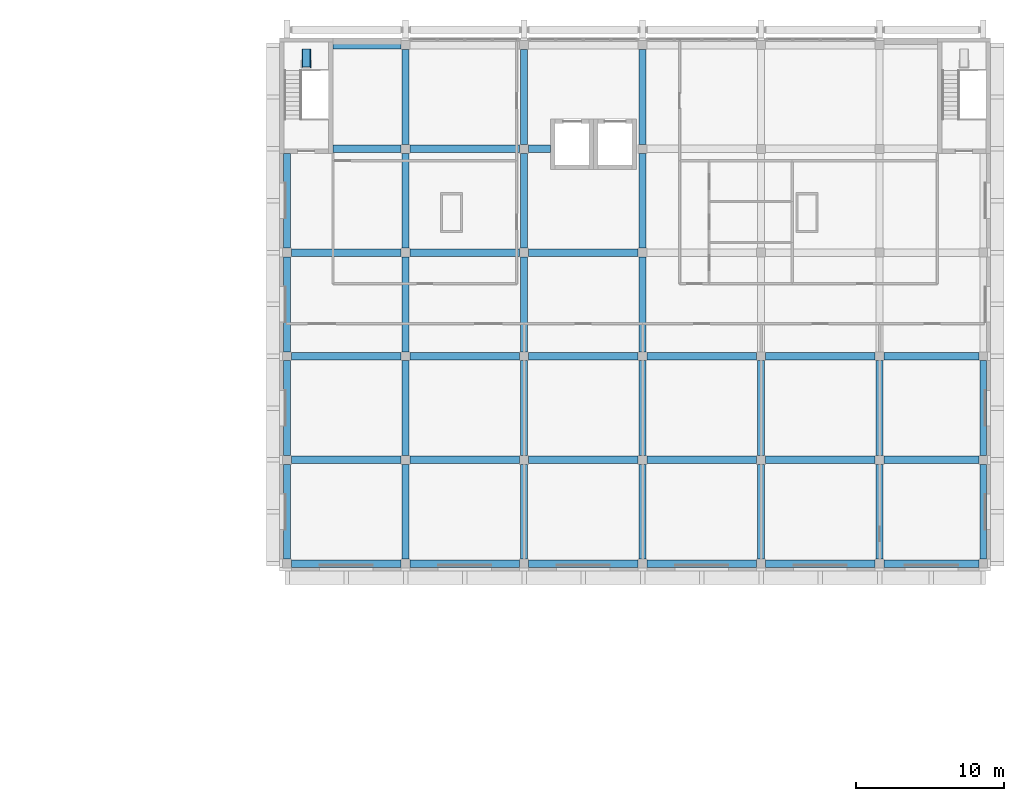
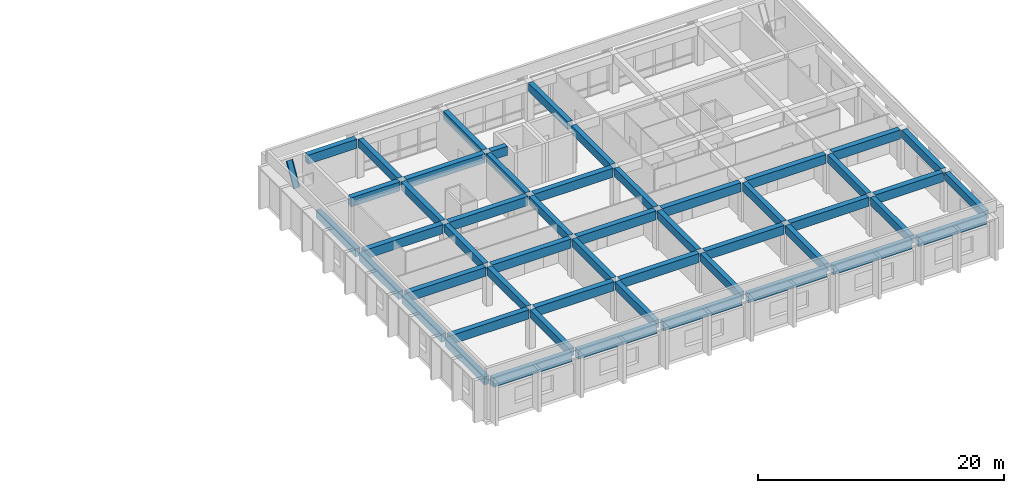
# One storey, part 8 of 21: 50 beams, 1 member.
"""IFC4 building model written with IfcOpenShell, lengths in metres."""

from ifc_helpers import new_model, si_unit, direction, frame, origin, origin_2d, place, context, subcontext, project, spatial, polyline, rectangle, outline, extrude, material, material_profile, profile_set, type_object, element, save


model = new_model("IFC4")

# Units and contexts
model_context = context("Model", 3, precision=1e-05, world=origin(), true_north=direction((0.0, 1.0)))
body_context = subcontext(model_context, "Body", "Model", "MODEL_VIEW")
ifc_project = project(units=[si_unit("LENGTHUNIT", "METRE"), si_unit("AREAUNIT", "SQUARE_METRE"), si_unit("VOLUMEUNIT", "CUBIC_METRE"), si_unit("PLANEANGLEUNIT", "RADIAN"), si_unit("MASSUNIT", "GRAM", prefix="KILO")], contexts=[model_context])

# Site, building, storey
site_placement = place(None, origin())
site = spatial("IfcSite", under=ifc_project, at=site_placement, CompositionType="ELEMENT")
building_placement = place(site_placement, origin())
building = spatial("IfcBuilding", under=site, at=building_placement, Name="Elmora Arch Market Hall", CompositionType="ELEMENT")
storey_placement = place(building_placement, frame((0.0, 0.0, 14.39990234375)))
storey = spatial("IfcBuildingStorey", under=building, at=storey_placement, Name="L03", CompositionType="ELEMENT", Elevation=14.39990234375)

# Member
ifc_material_1 = material(Name="Steel ASTM A500 Gr C", Category="steel")
ifc_material_profile_1 = material_profile(ifc_material_1, outline(polyline([(-0.300048828125, 0.0), (0.300048828125, 0.0), (0.300048828125, 0.10009765625), (0.260009765625, 0.10009765625), (0.260009765625, 0.02001953125), (-0.260009765625, 0.02001953125), (-0.260009765625, 0.10009765625), (-0.300048828125, 0.10009765625), (-0.300048828125, 0.0)])), Name="Ladder channel 600 x 100")
ifc_profile_set_1 = profile_set([ifc_material_profile_1], Name="Steel ASTM A500 Gr C")
member_type = type_object("IfcMemberType", Name="Roof access ladder 600", PredefinedType="USERDEFINED", material=ifc_profile_set_1)
member_placement = place(storey_placement, frame((87.800048828125, 164.050048828125, 2.0), z_axis=(0.0, 0.505154929863, 0.863028676716), x_axis=(-1.0, 0.0, 0.0)))
element("IfcMember", 1, at=member_placement, inside=storey, type_object=member_type, Name="Roof access ladder ST-SCW", ObjectType="ROOF ACCESS LADDER", PredefinedType="USERDEFINED", context=body_context, shape_type="SweptSolid", body=[
    extrude(outline(polyline([(-0.300048828125, 0.0), (0.300048828125, 0.0), (0.300048828125, 0.10009765625), (0.260009765625, 0.10009765625), (0.260009765625, 0.02001953125), (-0.260009765625, 0.02001953125), (-0.260009765625, 0.10009765625), (-0.300048828125, 0.10009765625), (-0.300048828125, 0.0)])), origin(), (0.0, 0.0, 1.0), 2.37548828125),
])

# Beams
ifc_material_2 = material(Name="Concrete C32/40", Category="concrete")
ifc_material_profile_2 = material_profile(ifc_material_2, rectangle(XDim=0.449951171875, YDim=0.800048828125, at=origin_2d()), Name="School beam 450x800")
ifc_profile_set_2 = profile_set([ifc_material_profile_2], Name="Concrete C32/40")
beam_type_1 = type_object("IfcBeamType", Name="School beam 450x800", PredefinedType="BEAM", material=ifc_profile_set_2)
for number, where, z_axis, x_axis, name in (
    (2, (86.5, 130.800048828125, 3.5), (0.0, 1.0, 0.0), (-1.0, 0.0, 0.0), "School beam SY1 L03.1"),
    (3, (86.5, 137.800048828125, 3.5), (0.0, 1.0, 0.0), (-1.0, 0.0, 0.0), "School beam SY1 L03.2"),
    (4, (86.5, 144.800048828125, 3.5), (0.0, 1.0, 0.0), (-1.0, 0.0, 0.0), "School beam SY1 L03.3"),
    (5, (86.5, 151.800048828125, 3.5), (0.0, 1.0, 0.0), (-1.0, 0.0, 0.0), "School beam SY1 L03.4"),
    (6, (94.5, 130.800048828125, 3.5), (0.0, 1.0, 0.0), (-1.0, 0.0, 0.0), "School beam SY2 L03.1"),
    (7, (94.5, 137.800048828125, 3.5), (0.0, 1.0, 0.0), (-1.0, 0.0, 0.0), "School beam SY2 L03.2"),
    (8, (94.5, 144.800048828125, 3.5), (0.0, 1.0, 0.0), (-1.0, 0.0, 0.0), "School beam SY2 L03.3"),
    (9, (94.5, 151.800048828125, 3.5), (0.0, 1.0, 0.0), (-1.0, 0.0, 0.0), "School beam SY2 L03.4"),
    (10, (94.5, 158.800048828125, 3.5), (0.0, 1.0, 0.0), (-1.0, 0.0, 0.0), "School beam SY2 L03.5"),
    (11, (102.5, 130.800048828125, 3.5), (0.0, 1.0, 0.0), (-1.0, 0.0, 0.0), "School beam SY3 L03.1"),
    (12, (102.5, 137.800048828125, 3.5), (0.0, 1.0, 0.0), (-1.0, 0.0, 0.0), "School beam SY3 L03.2"),
    (13, (102.5, 144.800048828125, 3.5), (0.0, 1.0, 0.0), (-1.0, 0.0, 0.0), "School beam SY3 L03.3"),
    (14, (102.5, 151.800048828125, 3.5), (0.0, 1.0, 0.0), (-1.0, 0.0, 0.0), "School beam SY3 L03.4"),
    (15, (102.5, 158.800048828125, 3.5), (0.0, 1.0, 0.0), (-1.0, 0.0, 0.0), "School beam SY3 L03.5"),
    (16, (110.5, 130.800048828125, 3.5), (0.0, 1.0, 0.0), (-1.0, 0.0, 0.0), "School beam SY4 L03.1"),
    (17, (110.5, 137.800048828125, 3.5), (0.0, 1.0, 0.0), (-1.0, 0.0, 0.0), "School beam SY4 L03.2"),
    (18, (110.5, 144.800048828125, 3.5), (0.0, 1.0, 0.0), (-1.0, 0.0, 0.0), "School beam SY4 L03.3"),
    (19, (110.5, 151.800048828125, 3.5), (0.0, 1.0, 0.0), (-1.0, 0.0, 0.0), "School beam SY4 L03.4"),
    (20, (110.5, 158.800048828125, 3.5), (0.0, 1.0, 0.0), (-1.0, 0.0, 0.0), "School beam SY4 L03.5"),
    (21, (118.5, 130.800048828125, 3.5), (0.0, 1.0, 0.0), (-1.0, 0.0, 0.0), "School beam SY5 L03.1"),
    (22, (118.5, 137.800048828125, 3.5), (0.0, 1.0, 0.0), (-1.0, 0.0, 0.0), "School beam SY5 L03.2"),
    (23, (126.5, 130.800048828125, 3.5), (0.0, 1.0, 0.0), (-1.0, 0.0, 0.0), "School beam SY6 L03.1"),
    (24, (126.5, 137.800048828125, 3.5), (0.0, 1.0, 0.0), (-1.0, 0.0, 0.0), "School beam SY6 L03.2"),
    (25, (133.5, 130.800048828125, 3.5), (0.0, 1.0, 0.0), (-1.0, 0.0, 0.0), "School beam SY7 L03.1"),
    (26, (133.5, 137.800048828125, 3.5), (0.0, 1.0, 0.0), (-1.0, 0.0, 0.0), "School beam SY7 L03.2"),
):
    element("IfcBeam", number, at=place(storey_placement, frame(where, z_axis=z_axis, x_axis=x_axis)), inside=storey, type_object=beam_type_1, Name=name, PredefinedType="BEAM", context=body_context, shape_type="SweptSolid", body=[
        extrude(rectangle(XDim=0.449951171875, YDim=0.800048828125, at=origin_2d()), origin(), (0.0, 0.0, 1.0), 6.39990234375),
    ])
ifc_material_3 = material(Name="Concrete C32/40", Category="concrete")
ifc_material_profile_3 = material_profile(ifc_material_3, rectangle(XDim=0.5, YDim=0.89990234375, at=origin_2d()), Name="School girder 500x900")
ifc_profile_set_3 = profile_set([ifc_material_profile_3], Name="Concrete C32/40")
beam_type_2 = type_object("IfcBeamType", Name="School girder 500x900", PredefinedType="BEAM", material=ifc_profile_set_3)
for number, where, z_axis, x_axis, name in (
    (27, (86.800048828125, 130.5, 3.4501953125), (1.0, 0.0, 0.0), (0.0, 1.0, 0.0), "School girder SX1 L03.1"),
    (28, (94.800048828125, 130.5, 3.4501953125), (1.0, 0.0, 0.0), (0.0, 1.0, 0.0), "School girder SX1 L03.2"),
    (29, (102.800048828125, 130.5, 3.4501953125), (1.0, 0.0, 0.0), (0.0, 1.0, 0.0), "School girder SX1 L03.3"),
    (30, (110.800048828125, 130.5, 3.4501953125), (1.0, 0.0, 0.0), (0.0, 1.0, 0.0), "School girder SX1 L03.4"),
    (31, (118.800048828125, 130.5, 3.4501953125), (1.0, 0.0, 0.0), (0.0, 1.0, 0.0), "School girder SX1 L03.5"),
):
    element("IfcBeam", number, at=place(storey_placement, frame(where, z_axis=z_axis, x_axis=x_axis)), inside=storey, type_object=beam_type_2, Name=name, PredefinedType="BEAM", context=body_context, shape_type="SweptSolid", body=[
        extrude(rectangle(XDim=0.5, YDim=0.89990234375, at=origin_2d()), origin(), (0.0, 0.0, 1.0), 7.39990234375),
    ])
beam_1_placement = place(storey_placement, frame((126.800048828125, 130.5, 3.4501953125), z_axis=(1.0, 0.0, 0.0), x_axis=(0.0, 1.0, 0.0)))
element("IfcBeam", 32, at=beam_1_placement, inside=storey, type_object=beam_type_2, Name="School girder SX1 L03.6", PredefinedType="BEAM", context=body_context, shape_type="SweptSolid", body=[
    extrude(rectangle(XDim=0.5, YDim=0.89990234375, at=origin_2d()), origin(), (0.0, 0.0, 1.0), 6.39990234375),
])
for number, where, z_axis, x_axis, name in (
    (33, (86.800048828125, 137.5, 3.4501953125), (1.0, 0.0, 0.0), (0.0, 1.0, 0.0), "School girder SX2 L03.1"),
    (34, (94.800048828125, 137.5, 3.4501953125), (1.0, 0.0, 0.0), (0.0, 1.0, 0.0), "School girder SX2 L03.2"),
    (35, (102.800048828125, 137.5, 3.4501953125), (1.0, 0.0, 0.0), (0.0, 1.0, 0.0), "School girder SX2 L03.3"),
    (36, (110.800048828125, 137.5, 3.4501953125), (1.0, 0.0, 0.0), (0.0, 1.0, 0.0), "School girder SX2 L03.4"),
    (37, (118.800048828125, 137.5, 3.4501953125), (1.0, 0.0, 0.0), (0.0, 1.0, 0.0), "School girder SX2 L03.5"),
):
    element("IfcBeam", number, at=place(storey_placement, frame(where, z_axis=z_axis, x_axis=x_axis)), inside=storey, type_object=beam_type_2, Name=name, PredefinedType="BEAM", context=body_context, shape_type="SweptSolid", body=[
        extrude(rectangle(XDim=0.5, YDim=0.89990234375, at=origin_2d()), origin(), (0.0, 0.0, 1.0), 7.39990234375),
    ])
beam_2_placement = place(storey_placement, frame((126.800048828125, 137.5, 3.4501953125), z_axis=(1.0, 0.0, 0.0), x_axis=(0.0, 1.0, 0.0)))
element("IfcBeam", 38, at=beam_2_placement, inside=storey, type_object=beam_type_2, Name="School girder SX2 L03.6", PredefinedType="BEAM", context=body_context, shape_type="SweptSolid", body=[
    extrude(rectangle(XDim=0.5, YDim=0.89990234375, at=origin_2d()), origin(), (0.0, 0.0, 1.0), 6.39990234375),
])
for number, where, z_axis, x_axis, name in (
    (39, (86.800048828125, 144.5, 3.4501953125), (1.0, 0.0, 0.0), (0.0, 1.0, 0.0), "School girder SX3 L03.1"),
    (40, (94.800048828125, 144.5, 3.4501953125), (1.0, 0.0, 0.0), (0.0, 1.0, 0.0), "School girder SX3 L03.2"),
    (41, (102.800048828125, 144.5, 3.4501953125), (1.0, 0.0, 0.0), (0.0, 1.0, 0.0), "School girder SX3 L03.3"),
    (42, (110.800048828125, 144.5, 3.4501953125), (1.0, 0.0, 0.0), (0.0, 1.0, 0.0), "School girder SX3 L03.4"),
    (43, (118.800048828125, 144.5, 3.4501953125), (1.0, 0.0, 0.0), (0.0, 1.0, 0.0), "School girder SX3 L03.5"),
):
    element("IfcBeam", number, at=place(storey_placement, frame(where, z_axis=z_axis, x_axis=x_axis)), inside=storey, type_object=beam_type_2, Name=name, PredefinedType="BEAM", context=body_context, shape_type="SweptSolid", body=[
        extrude(rectangle(XDim=0.5, YDim=0.89990234375, at=origin_2d()), origin(), (0.0, 0.0, 1.0), 7.39990234375),
    ])
beam_3_placement = place(storey_placement, frame((126.800048828125, 144.5, 3.4501953125), z_axis=(1.0, 0.0, 0.0), x_axis=(0.0, 1.0, 0.0)))
element("IfcBeam", 44, at=beam_3_placement, inside=storey, type_object=beam_type_2, Name="School girder SX3 L03.6", PredefinedType="BEAM", context=body_context, shape_type="SweptSolid", body=[
    extrude(rectangle(XDim=0.5, YDim=0.89990234375, at=origin_2d()), origin(), (0.0, 0.0, 1.0), 6.39990234375),
])
for number, where, z_axis, x_axis, name in (
    (45, (86.800048828125, 151.5, 3.4501953125), (1.0, 0.0, 0.0), (0.0, 1.0, 0.0), "School girder SX4 L03.1"),
    (46, (94.800048828125, 151.5, 3.4501953125), (1.0, 0.0, 0.0), (0.0, 1.0, 0.0), "School girder SX4 L03.2"),
    (47, (102.800048828125, 151.5, 3.4501953125), (1.0, 0.0, 0.0), (0.0, 1.0, 0.0), "School girder SX4 L03.3"),
):
    element("IfcBeam", number, at=place(storey_placement, frame(where, z_axis=z_axis, x_axis=x_axis)), inside=storey, type_object=beam_type_2, Name=name, PredefinedType="BEAM", context=body_context, shape_type="SweptSolid", body=[
        extrude(rectangle(XDim=0.5, YDim=0.89990234375, at=origin_2d()), origin(), (0.0, 0.0, 1.0), 7.39990234375),
    ])
beam_4_placement = place(storey_placement, frame((89.60009765625, 158.5, 3.4501953125), z_axis=(1.0, 0.0, 0.0), x_axis=(0.0, 1.0, 0.0)))
element("IfcBeam", 48, at=beam_4_placement, inside=storey, type_object=beam_type_2, Name="School girder SX5 L03.1", PredefinedType="BEAM", context=body_context, shape_type="SweptSolid", body=[
    extrude(rectangle(XDim=0.5, YDim=0.89990234375, at=origin_2d()), origin(), (0.0, 0.0, 1.0), 4.599853515625),
])
beam_5_placement = place(storey_placement, frame((94.800048828125, 158.5, 3.4501953125), z_axis=(1.0, 0.0, 0.0), x_axis=(0.0, 1.0, 0.0)))
element("IfcBeam", 49, at=beam_5_placement, inside=storey, type_object=beam_type_2, Name="School girder SX5 L03.2", PredefinedType="BEAM", context=body_context, shape_type="SweptSolid", body=[
    extrude(rectangle(XDim=0.5, YDim=0.89990234375, at=origin_2d()), origin(), (0.0, 0.0, 1.0), 7.39990234375),
])
beam_6_placement = place(storey_placement, frame((102.800048828125, 158.5, 3.4501953125), z_axis=(1.0, 0.0, 0.0), x_axis=(0.0, 1.0, 0.0)))
element("IfcBeam", 50, at=beam_6_placement, inside=storey, type_object=beam_type_2, Name="School girder SX5 L03.3", PredefinedType="BEAM", context=body_context, shape_type="SweptSolid", body=[
    extrude(rectangle(XDim=0.5, YDim=0.89990234375, at=origin_2d()), origin(), (0.0, 0.0, 1.0), 1.5),
])
beam_7_placement = place(storey_placement, frame((89.60009765625, 165.5, 3.4501953125), z_axis=(1.0, 0.0, 0.0), x_axis=(0.0, 1.0, 0.0)))
element("IfcBeam", 51, at=beam_7_placement, inside=storey, type_object=beam_type_2, Name="School girder SX6 L03.1", PredefinedType="BEAM", context=body_context, shape_type="SweptSolid", body=[
    extrude(rectangle(XDim=0.5, YDim=0.89990234375, at=origin_2d()), origin(), (0.0, 0.0, 1.0), 4.599853515625),
])

save(model, "model.ifc")
